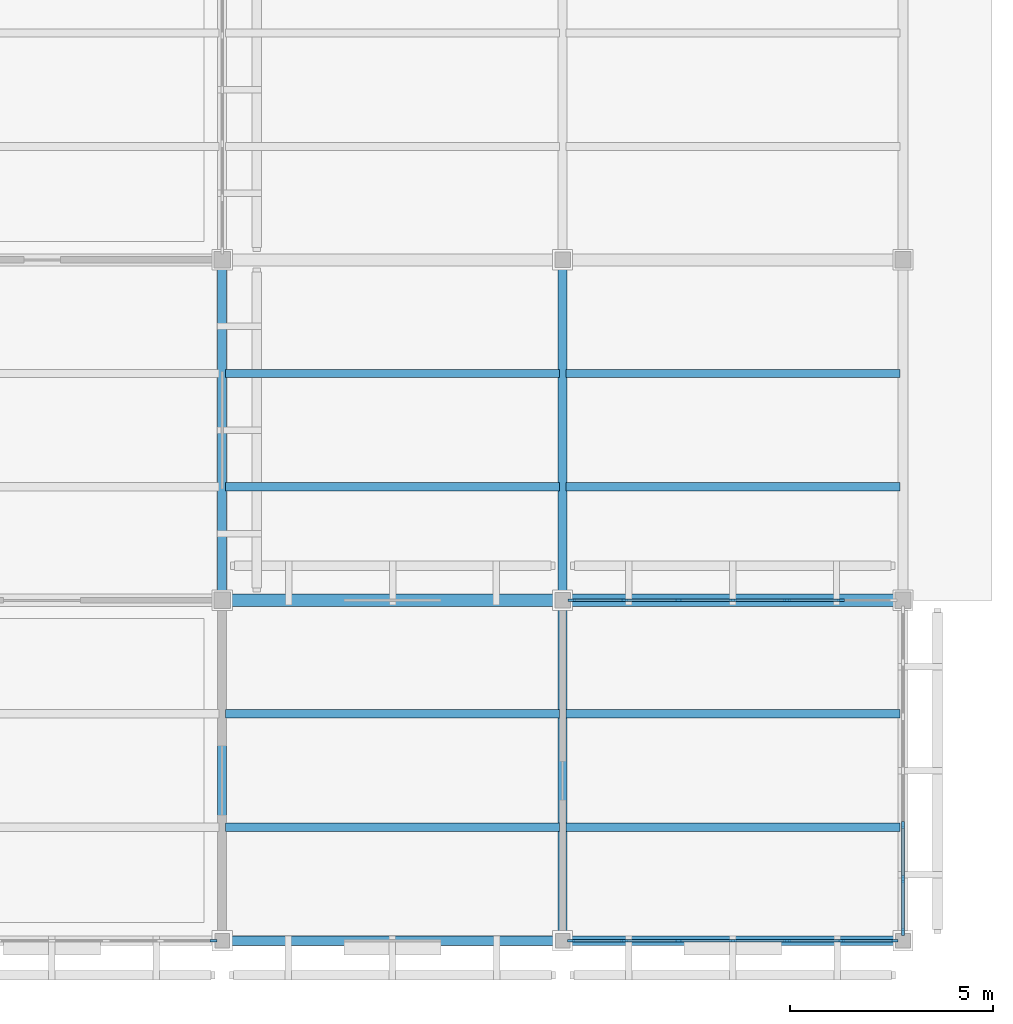
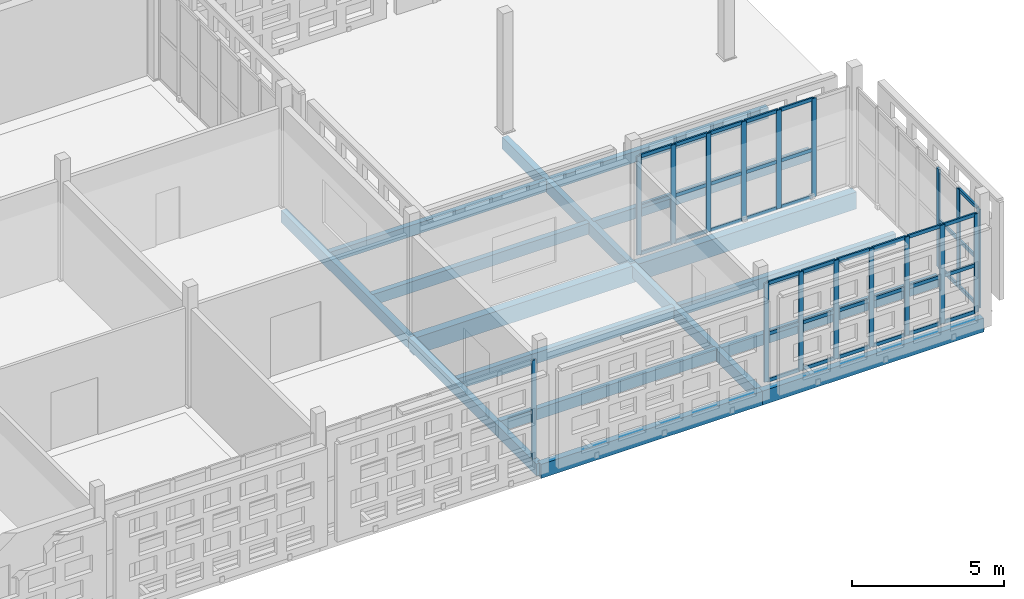
# One storey, part 68 of 203: 55 members, 16 beams, 4 elements without a shape of their own.
"""IFC4 building model written with IfcOpenShell, lengths in metres."""

from ifc_helpers import new_model, si_unit, direction, frame, origin, origin_2d, place, context, subcontext, project, spatial, rectangle, extrude, material, layer, layer_set, material_profile, profile_set, type_object, element, aggregate, save


model = new_model("IFC4")

# Units and contexts
model_context = context("Model", 3, precision=1e-05, world=origin(), true_north=direction((0.0, 1.0)))
body_context = subcontext(model_context, "Body", "Model", "MODEL_VIEW")
ifc_project = project(units=[si_unit("LENGTHUNIT", "METRE"), si_unit("AREAUNIT", "SQUARE_METRE"), si_unit("VOLUMEUNIT", "CUBIC_METRE"), si_unit("PLANEANGLEUNIT", "RADIAN"), si_unit("MASSUNIT", "GRAM", prefix="KILO")], contexts=[model_context])

# Site, building, storey
site_placement = place(None, origin())
site = spatial("IfcSite", under=ifc_project, at=site_placement, CompositionType="ELEMENT")
building_placement = place(site_placement, origin())
building = spatial("IfcBuilding", under=site, at=building_placement, Name="Varnapada Polytechnic", CompositionType="ELEMENT")
storey_placement = place(building_placement, frame((0.0, 0.0, 4.800048828125)))
storey = spatial("IfcBuildingStorey", under=building, at=storey_placement, Name="L01", CompositionType="ELEMENT", Elevation=4.800048828125)

# Beams
ifc_material_1 = material(Name="Glulam GL32h", Category="wood")
ifc_material_profile_1 = material_profile(ifc_material_1, rectangle(XDim=0.199951171875, YDim=0.43994140625, at=origin_2d()), Name="GL 200x440")
ifc_profile_set_1 = profile_set([ifc_material_profile_1], Name="Glulam GL32h")
beam_type_1 = type_object("IfcBeamType", Name="Heavy laboratory glulam joist GJ-03 (GL 200x440)", PredefinedType="JOIST", material=ifc_profile_set_1)
for number, where, z_axis, x_axis, name in (
    (1, (159.679931640625, 2.800048828125, -0.469970703125), (1.0, 0.0, 0.0), (0.0, 1.0, 0.0), "L01 floor joist 20/1.1"),
    (2, (159.679931640625, 5.60009765625, -0.469970703125), (1.0, 0.0, 0.0), (0.0, 1.0, 0.0), "L01 floor joist 20/1.2"),
    (3, (159.679931640625, 11.199951171875, -0.489990234375), (1.0, 0.0, 0.0), (0.0, 1.0, 0.0), "L01 floor joist 20/2.1"),
    (4, (159.679931640625, 14.0, -0.489990234375), (1.0, 0.0, 0.0), (0.0, 1.0, 0.0), "L01 floor joist 20/2.2"),
    (5, (168.080078125, 2.800048828125, -0.469970703125), (1.0, 0.0, 0.0), (0.0, 1.0, 0.0), "L01 floor joist 21/1.1"),
    (6, (168.080078125, 5.60009765625, -0.469970703125), (1.0, 0.0, 0.0), (0.0, 1.0, 0.0), "L01 floor joist 21/1.2"),
    (7, (168.080078125, 11.199951171875, -0.489990234375), (1.0, 0.0, 0.0), (0.0, 1.0, 0.0), "L01 floor joist 21/2.1"),
    (8, (168.080078125, 14.0, -0.489990234375), (1.0, 0.0, 0.0), (0.0, 1.0, 0.0), "L01 floor joist 21/2.2"),
):
    element("IfcBeam", number, at=place(storey_placement, frame(where, z_axis=z_axis, x_axis=x_axis)), inside=storey, type_object=beam_type_1, Name=name, PredefinedType="JOIST", context=body_context, shape_type="SweptSolid", body=[
        extrude(rectangle(XDim=0.199951171875, YDim=0.43994140625, at=origin_2d()), origin(), (0.0, 0.0, 1.0), 8.239990234375),
    ])

# Curtain wall, member
ifc_material_2 = material(Name="Double low-E laminated glass", Category="glass")
ifc_layer = layer(ifc_material_2, 0.179931640625)
ifc_layer_set = layer_set([ifc_layer], Name="Double low-E laminated glass")
curtain_wall_type = type_object("IfcCurtainWallType", Name="Curtain Wall CW-04", PredefinedType="NOTDEFINED", material=ifc_layer_set)
curtain_wall_1_placement = place(storey_placement, origin())
curtain_wall_1 = element("IfcCurtainWall", 9, at=curtain_wall_1_placement, inside=storey, type_object=curtain_wall_type, Name="L01 unitised curtain wall CW-04 (109)", PredefinedType="NOTDEFINED")
ifc_material_3 = material(Name="Anodised aluminium", Category="aluminium")
ifc_material_profile_2 = material_profile(ifc_material_3, rectangle(XDim=0.06494140625, YDim=0.179931640625, at=origin_2d()), Name="ALU M65x180")
ifc_profile_set_2 = profile_set([ifc_material_profile_2], Name="Anodised aluminium")
member_type_1 = type_object("IfcMemberType", Name="Mullion M-02", PredefinedType="MULLION", material=ifc_profile_set_2)
member_1_placement = place(storey_placement, frame((159.387451171875, 0.0, 0.0), z_axis=(0.0, 0.0, 1.0), x_axis=(0.0, -1.0, 0.0)))
member_1 = element("IfcMember", 10, at=member_1_placement, type_object=member_type_1, Name="CW-04 mullion 1", PredefinedType="MULLION", context=body_context, shape_type="SweptSolid", body=[
    extrude(rectangle(XDim=0.06494140625, YDim=0.179931640625, at=origin_2d()), origin(), (0.0, 0.0, 1.0), 3.9599609375),
])
aggregate(curtain_wall_1, [member_1])

# Curtain wall, members
curtain_wall_2_placement = place(storey_placement, origin())
curtain_wall_2 = element("IfcCurtainWall", 11, at=curtain_wall_2_placement, inside=storey, type_object=curtain_wall_type, Name="L01 unitised curtain wall CW-04 (115)", PredefinedType="NOTDEFINED")
member_2_placement = place(storey_placement, frame((176.1875, 0.0, 0.0), z_axis=(0.0, 0.0, 1.0), x_axis=(0.0, -1.0, 0.0)))
member_2 = element("IfcMember", 12, at=member_2_placement, type_object=member_type_1, Name="CW-04 mullion 1", PredefinedType="MULLION", context=body_context, shape_type="SweptSolid", body=[
    extrude(rectangle(XDim=0.06494140625, YDim=0.179931640625, at=origin_2d()), origin(), (0.0, 0.0, 1.0), 3.9599609375),
])
member_3_placement = place(storey_placement, frame((174.8798828125, 0.0, 0.0), z_axis=(0.0, 0.0, 1.0), x_axis=(0.0, -1.0, 0.0)))
member_3 = element("IfcMember", 13, at=member_3_placement, type_object=member_type_1, Name="CW-04 mullion 2", PredefinedType="MULLION", context=body_context, shape_type="SweptSolid", body=[
    extrude(rectangle(XDim=0.06494140625, YDim=0.179931640625, at=origin_2d()), origin(), (0.0, 0.0, 1.0), 3.9599609375),
])
member_4_placement = place(storey_placement, frame((173.5400390625, 0.0, 0.0), z_axis=(0.0, 0.0, 1.0), x_axis=(0.0, -1.0, 0.0)))
member_4 = element("IfcMember", 14, at=member_4_placement, type_object=member_type_1, Name="CW-04 mullion 3", PredefinedType="MULLION", context=body_context, shape_type="SweptSolid", body=[
    extrude(rectangle(XDim=0.06494140625, YDim=0.179931640625, at=origin_2d()), origin(), (0.0, 0.0, 1.0), 3.9599609375),
])
member_5_placement = place(storey_placement, frame((172.199951171875, 0.0, 0.0), z_axis=(0.0, 0.0, 1.0), x_axis=(0.0, -1.0, 0.0)))
member_5 = element("IfcMember", 15, at=member_5_placement, type_object=member_type_1, Name="CW-04 mullion 4", PredefinedType="MULLION", context=body_context, shape_type="SweptSolid", body=[
    extrude(rectangle(XDim=0.06494140625, YDim=0.179931640625, at=origin_2d()), origin(), (0.0, 0.0, 1.0), 3.9599609375),
])
member_6_placement = place(storey_placement, frame((170.860107421875, 0.0, 0.0), z_axis=(0.0, 0.0, 1.0), x_axis=(0.0, -1.0, 0.0)))
member_6 = element("IfcMember", 16, at=member_6_placement, type_object=member_type_1, Name="CW-04 mullion 5", PredefinedType="MULLION", context=body_context, shape_type="SweptSolid", body=[
    extrude(rectangle(XDim=0.06494140625, YDim=0.179931640625, at=origin_2d()), origin(), (0.0, 0.0, 1.0), 3.9599609375),
])
member_7_placement = place(storey_placement, frame((169.52001953125, 0.0, 0.0), z_axis=(0.0, 0.0, 1.0), x_axis=(0.0, -1.0, 0.0)))
member_7 = element("IfcMember", 17, at=member_7_placement, type_object=member_type_1, Name="CW-04 mullion 6", PredefinedType="MULLION", context=body_context, shape_type="SweptSolid", body=[
    extrude(rectangle(XDim=0.06494140625, YDim=0.179931640625, at=origin_2d()), origin(), (0.0, 0.0, 1.0), 3.9599609375),
])
member_8_placement = place(storey_placement, frame((168.21240234375, 0.0, 0.0), z_axis=(0.0, 0.0, 1.0), x_axis=(0.0, -1.0, 0.0)))
member_8 = element("IfcMember", 18, at=member_8_placement, type_object=member_type_1, Name="CW-04 mullion 7", PredefinedType="MULLION", context=body_context, shape_type="SweptSolid", body=[
    extrude(rectangle(XDim=0.06494140625, YDim=0.179931640625, at=origin_2d()), origin(), (0.0, 0.0, 1.0), 3.9599609375),
])

curtain_wall_3_placement = place(storey_placement, origin())
curtain_wall_3 = element("IfcCurtainWall", 19, at=curtain_wall_3_placement, inside=storey, type_object=curtain_wall_type, Name="L01 unitised curtain wall CW-04 (116)", PredefinedType="NOTDEFINED")
member_9_placement = place(storey_placement, frame((168.222412109375, 8.39990234375, 0.0), z_axis=(0.0, 0.0, 1.0), x_axis=(0.0, 1.0, 0.0)))
member_9 = element("IfcMember", 20, at=member_9_placement, type_object=member_type_1, Name="CW-04 mullion 1", PredefinedType="MULLION", context=body_context, shape_type="SweptSolid", body=[
    extrude(rectangle(XDim=0.06494140625, YDim=0.179931640625, at=origin_2d()), origin(), (0.0, 0.0, 1.0), 3.9599609375),
])
member_10_placement = place(storey_placement, frame((169.52490234375, 8.39990234375, 0.0), z_axis=(0.0, 0.0, 1.0), x_axis=(0.0, 1.0, 0.0)))
member_10 = element("IfcMember", 21, at=member_10_placement, type_object=member_type_1, Name="CW-04 mullion 2", PredefinedType="MULLION", context=body_context, shape_type="SweptSolid", body=[
    extrude(rectangle(XDim=0.06494140625, YDim=0.179931640625, at=origin_2d()), origin(), (0.0, 0.0, 1.0), 3.9599609375),
])
member_11_placement = place(storey_placement, frame((170.860107421875, 8.39990234375, 0.0), z_axis=(0.0, 0.0, 1.0), x_axis=(0.0, 1.0, 0.0)))
member_11 = element("IfcMember", 22, at=member_11_placement, type_object=member_type_1, Name="CW-04 mullion 3", PredefinedType="MULLION", context=body_context, shape_type="SweptSolid", body=[
    extrude(rectangle(XDim=0.06494140625, YDim=0.179931640625, at=origin_2d()), origin(), (0.0, 0.0, 1.0), 3.9599609375),
])
member_12_placement = place(storey_placement, frame((172.195068359375, 8.39990234375, 0.0), z_axis=(0.0, 0.0, 1.0), x_axis=(0.0, 1.0, 0.0)))
member_12 = element("IfcMember", 23, at=member_12_placement, type_object=member_type_1, Name="CW-04 mullion 4", PredefinedType="MULLION", context=body_context, shape_type="SweptSolid", body=[
    extrude(rectangle(XDim=0.06494140625, YDim=0.179931640625, at=origin_2d()), origin(), (0.0, 0.0, 1.0), 3.9599609375),
])
member_13_placement = place(storey_placement, frame((173.530029296875, 8.39990234375, 0.0), z_axis=(0.0, 0.0, 1.0), x_axis=(0.0, 1.0, 0.0)))
member_13 = element("IfcMember", 24, at=member_13_placement, type_object=member_type_1, Name="CW-04 mullion 5", PredefinedType="MULLION", context=body_context, shape_type="SweptSolid", body=[
    extrude(rectangle(XDim=0.06494140625, YDim=0.179931640625, at=origin_2d()), origin(), (0.0, 0.0, 1.0), 3.9599609375),
])
member_14_placement = place(storey_placement, frame((174.864990234375, 8.39990234375, 0.0), z_axis=(0.0, 0.0, 1.0), x_axis=(0.0, 1.0, 0.0)))
member_14 = element("IfcMember", 25, at=member_14_placement, type_object=member_type_1, Name="CW-04 mullion 6", PredefinedType="MULLION", context=body_context, shape_type="SweptSolid", body=[
    extrude(rectangle(XDim=0.06494140625, YDim=0.179931640625, at=origin_2d()), origin(), (0.0, 0.0, 1.0), 3.9599609375),
])

curtain_wall_4_placement = place(storey_placement, origin())
curtain_wall_4 = element("IfcCurtainWall", 26, at=curtain_wall_4_placement, inside=storey, type_object=curtain_wall_type, Name="L01 unitised curtain wall CW-04 (117)", PredefinedType="NOTDEFINED")
member_15_placement = place(storey_placement, frame((176.39990234375, 2.853271484375, 0.0), z_axis=(0.0, 0.0, 1.0), x_axis=(1.0, 0.0, 0.0)))
member_15 = element("IfcMember", 27, at=member_15_placement, type_object=member_type_1, Name="CW-04 mullion 5", PredefinedType="MULLION", context=body_context, shape_type="SweptSolid", body=[
    extrude(rectangle(XDim=0.06494140625, YDim=0.179931640625, at=origin_2d()), origin(), (0.0, 0.0, 1.0), 3.9599609375),
])
member_16_placement = place(storey_placement, frame((176.39990234375, 1.5166015625, 0.0), z_axis=(0.0, 0.0, 1.0), x_axis=(1.0, 0.0, 0.0)))
member_16 = element("IfcMember", 28, at=member_16_placement, type_object=member_type_1, Name="CW-04 mullion 6", PredefinedType="MULLION", context=body_context, shape_type="SweptSolid", body=[
    extrude(rectangle(XDim=0.06494140625, YDim=0.179931640625, at=origin_2d()), origin(), (0.0, 0.0, 1.0), 3.9599609375),
])
member_17_placement = place(storey_placement, frame((176.39990234375, 0.21240234375, 0.0), z_axis=(0.0, 0.0, 1.0), x_axis=(1.0, 0.0, 0.0)))
member_17 = element("IfcMember", 29, at=member_17_placement, type_object=member_type_1, Name="CW-04 mullion 7", PredefinedType="MULLION", context=body_context, shape_type="SweptSolid", body=[
    extrude(rectangle(XDim=0.06494140625, YDim=0.179931640625, at=origin_2d()), origin(), (0.0, 0.0, 1.0), 3.9599609375),
])

# Beams
ifc_material_profile_3 = material_profile(ifc_material_1, rectangle(XDim=0.239990234375, YDim=0.56005859375, at=origin_2d()), Name="GL 240x560")
ifc_profile_set_3 = profile_set([ifc_material_profile_3], Name="Glulam GL32h")
beam_type_2 = type_object("IfcBeamType", Name="Perimeter glulam spandrel beam SP-02 (GL 240x560)", PredefinedType="SPANDREL", material=ifc_profile_set_3)
for number, where, z_axis, x_axis, name in (
    (30, (159.60009765625, 0.0, -0.530029296875), (1.0, 0.0, 0.0), (0.0, 1.0, 0.0), "L01 beam X 20-21 at Y1"),
    (31, (168.0, 0.0, -0.530029296875), (1.0, 0.0, 0.0), (0.0, 1.0, 0.0), "L01 beam X 21-22 at Y1"),
):
    element("IfcBeam", number, at=place(storey_placement, frame(where, z_axis=z_axis, x_axis=x_axis)), inside=storey, type_object=beam_type_2, Name=name, PredefinedType="SPANDREL", context=body_context, shape_type="SweptSolid", body=[
        extrude(rectangle(XDim=0.239990234375, YDim=0.56005859375, at=origin_2d()), origin(), (0.0, 0.0, 1.0), 8.39990234375),
    ])

# Member
ifc_material_profile_4 = material_profile(ifc_material_3, rectangle(XDim=0.06494140625, YDim=0.139892578125, at=origin_2d()), Name="ALU T65x140")
ifc_profile_set_4 = profile_set([ifc_material_profile_4], Name="Anodised aluminium")
member_type_2 = type_object("IfcMemberType", Name="Transom T-02", PredefinedType="USERDEFINED", material=ifc_profile_set_4)
member_18_placement = place(storey_placement, frame((176.155029296875, 0.0, 0.032470703125), z_axis=(-1.0, 0.0, 0.0), x_axis=(0.0, -1.0, 0.0)))
member_18 = element("IfcMember", 32, at=member_18_placement, type_object=member_type_2, Name="CW-04 transom 1.1", ObjectType="TRANSOM", PredefinedType="USERDEFINED", context=body_context, shape_type="SweptSolid", body=[
    extrude(rectangle(XDim=0.06494140625, YDim=0.139892578125, at=origin_2d()), origin(), (0.0, 0.0, 1.0), 1.242431640625),
])

member_19_placement = place(storey_placement, frame((176.155029296875, 0.0, 1.900634765625), z_axis=(-1.0, 0.0, 0.0), x_axis=(0.0, -1.0, 0.0)))
member_19 = element("IfcMember", 33, at=member_19_placement, type_object=member_type_2, Name="CW-04 transom 1.2", ObjectType="TRANSOM", PredefinedType="USERDEFINED", context=body_context, shape_type="SweptSolid", body=[
    extrude(rectangle(XDim=0.06494140625, YDim=0.139892578125, at=origin_2d()), origin(), (0.0, 0.0, 1.0), 1.242431640625),
])

member_20_placement = place(storey_placement, frame((176.155029296875, 0.0, 3.927490234375), z_axis=(-1.0, 0.0, 0.0), x_axis=(0.0, -1.0, 0.0)))
member_20 = element("IfcMember", 34, at=member_20_placement, type_object=member_type_2, Name="CW-04 transom 1.3", ObjectType="TRANSOM", PredefinedType="USERDEFINED", context=body_context, shape_type="SweptSolid", body=[
    extrude(rectangle(XDim=0.06494140625, YDim=0.139892578125, at=origin_2d()), origin(), (0.0, 0.0, 1.0), 1.242431640625),
])

member_21_placement = place(storey_placement, frame((174.847412109375, 0.0, 0.032470703125), z_axis=(-1.0, 0.0, 0.0), x_axis=(0.0, -1.0, 0.0)))
member_21 = element("IfcMember", 35, at=member_21_placement, type_object=member_type_2, Name="CW-04 transom 2.1", ObjectType="TRANSOM", PredefinedType="USERDEFINED", context=body_context, shape_type="SweptSolid", body=[
    extrude(rectangle(XDim=0.06494140625, YDim=0.139892578125, at=origin_2d()), origin(), (0.0, 0.0, 1.0), 1.27490234375),
])

member_22_placement = place(storey_placement, frame((174.847412109375, 0.0, 1.900634765625), z_axis=(-1.0, 0.0, 0.0), x_axis=(0.0, -1.0, 0.0)))
member_22 = element("IfcMember", 36, at=member_22_placement, type_object=member_type_2, Name="CW-04 transom 2.2", ObjectType="TRANSOM", PredefinedType="USERDEFINED", context=body_context, shape_type="SweptSolid", body=[
    extrude(rectangle(XDim=0.06494140625, YDim=0.139892578125, at=origin_2d()), origin(), (0.0, 0.0, 1.0), 1.27490234375),
])

member_23_placement = place(storey_placement, frame((174.847412109375, 0.0, 3.927490234375), z_axis=(-1.0, 0.0, 0.0), x_axis=(0.0, -1.0, 0.0)))
member_23 = element("IfcMember", 37, at=member_23_placement, type_object=member_type_2, Name="CW-04 transom 2.3", ObjectType="TRANSOM", PredefinedType="USERDEFINED", context=body_context, shape_type="SweptSolid", body=[
    extrude(rectangle(XDim=0.06494140625, YDim=0.139892578125, at=origin_2d()), origin(), (0.0, 0.0, 1.0), 1.27490234375),
])

member_24_placement = place(storey_placement, frame((173.507568359375, 0.0, 0.032470703125), z_axis=(-1.0, 0.0, 0.0), x_axis=(0.0, -1.0, 0.0)))
member_24 = element("IfcMember", 38, at=member_24_placement, type_object=member_type_2, Name="CW-04 transom 3.1", ObjectType="TRANSOM", PredefinedType="USERDEFINED", context=body_context, shape_type="SweptSolid", body=[
    extrude(rectangle(XDim=0.06494140625, YDim=0.139892578125, at=origin_2d()), origin(), (0.0, 0.0, 1.0), 1.275146484375),
])

member_25_placement = place(storey_placement, frame((173.507568359375, 0.0, 1.900634765625), z_axis=(-1.0, 0.0, 0.0), x_axis=(0.0, -1.0, 0.0)))
member_25 = element("IfcMember", 39, at=member_25_placement, type_object=member_type_2, Name="CW-04 transom 3.2", ObjectType="TRANSOM", PredefinedType="USERDEFINED", context=body_context, shape_type="SweptSolid", body=[
    extrude(rectangle(XDim=0.06494140625, YDim=0.139892578125, at=origin_2d()), origin(), (0.0, 0.0, 1.0), 1.275146484375),
])

member_26_placement = place(storey_placement, frame((173.507568359375, 0.0, 3.927490234375), z_axis=(-1.0, 0.0, 0.0), x_axis=(0.0, -1.0, 0.0)))
member_26 = element("IfcMember", 40, at=member_26_placement, type_object=member_type_2, Name="CW-04 transom 3.3", ObjectType="TRANSOM", PredefinedType="USERDEFINED", context=body_context, shape_type="SweptSolid", body=[
    extrude(rectangle(XDim=0.06494140625, YDim=0.139892578125, at=origin_2d()), origin(), (0.0, 0.0, 1.0), 1.275146484375),
])

member_27_placement = place(storey_placement, frame((172.16748046875, 0.0, 0.032470703125), z_axis=(-1.0, 0.0, 0.0), x_axis=(0.0, -1.0, 0.0)))
member_27 = element("IfcMember", 41, at=member_27_placement, type_object=member_type_2, Name="CW-04 transom 4.1", ObjectType="TRANSOM", PredefinedType="USERDEFINED", context=body_context, shape_type="SweptSolid", body=[
    extrude(rectangle(XDim=0.06494140625, YDim=0.139892578125, at=origin_2d()), origin(), (0.0, 0.0, 1.0), 1.27490234375),
])

member_28_placement = place(storey_placement, frame((172.16748046875, 0.0, 1.900634765625), z_axis=(-1.0, 0.0, 0.0), x_axis=(0.0, -1.0, 0.0)))
member_28 = element("IfcMember", 42, at=member_28_placement, type_object=member_type_2, Name="CW-04 transom 4.2", ObjectType="TRANSOM", PredefinedType="USERDEFINED", context=body_context, shape_type="SweptSolid", body=[
    extrude(rectangle(XDim=0.06494140625, YDim=0.139892578125, at=origin_2d()), origin(), (0.0, 0.0, 1.0), 1.27490234375),
])

member_29_placement = place(storey_placement, frame((172.16748046875, 0.0, 3.927490234375), z_axis=(-1.0, 0.0, 0.0), x_axis=(0.0, -1.0, 0.0)))
member_29 = element("IfcMember", 43, at=member_29_placement, type_object=member_type_2, Name="CW-04 transom 4.3", ObjectType="TRANSOM", PredefinedType="USERDEFINED", context=body_context, shape_type="SweptSolid", body=[
    extrude(rectangle(XDim=0.06494140625, YDim=0.139892578125, at=origin_2d()), origin(), (0.0, 0.0, 1.0), 1.27490234375),
])

member_30_placement = place(storey_placement, frame((170.827392578125, 0.0, 0.032470703125), z_axis=(-1.0, 0.0, 0.0), x_axis=(0.0, -1.0, 0.0)))
member_30 = element("IfcMember", 44, at=member_30_placement, type_object=member_type_2, Name="CW-04 transom 5.1", ObjectType="TRANSOM", PredefinedType="USERDEFINED", context=body_context, shape_type="SweptSolid", body=[
    extrude(rectangle(XDim=0.06494140625, YDim=0.139892578125, at=origin_2d()), origin(), (0.0, 0.0, 1.0), 1.27490234375),
])

member_31_placement = place(storey_placement, frame((170.827392578125, 0.0, 1.900634765625), z_axis=(-1.0, 0.0, 0.0), x_axis=(0.0, -1.0, 0.0)))
member_31 = element("IfcMember", 45, at=member_31_placement, type_object=member_type_2, Name="CW-04 transom 5.2", ObjectType="TRANSOM", PredefinedType="USERDEFINED", context=body_context, shape_type="SweptSolid", body=[
    extrude(rectangle(XDim=0.06494140625, YDim=0.139892578125, at=origin_2d()), origin(), (0.0, 0.0, 1.0), 1.27490234375),
])

member_32_placement = place(storey_placement, frame((170.827392578125, 0.0, 3.927490234375), z_axis=(-1.0, 0.0, 0.0), x_axis=(0.0, -1.0, 0.0)))
member_32 = element("IfcMember", 46, at=member_32_placement, type_object=member_type_2, Name="CW-04 transom 5.3", ObjectType="TRANSOM", PredefinedType="USERDEFINED", context=body_context, shape_type="SweptSolid", body=[
    extrude(rectangle(XDim=0.06494140625, YDim=0.139892578125, at=origin_2d()), origin(), (0.0, 0.0, 1.0), 1.27490234375),
])

member_33_placement = place(storey_placement, frame((169.487548828125, 0.0, 0.032470703125), z_axis=(-1.0, 0.0, 0.0), x_axis=(0.0, -1.0, 0.0)))
member_33 = element("IfcMember", 47, at=member_33_placement, type_object=member_type_2, Name="CW-04 transom 6.1", ObjectType="TRANSOM", PredefinedType="USERDEFINED", context=body_context, shape_type="SweptSolid", body=[
    extrude(rectangle(XDim=0.06494140625, YDim=0.139892578125, at=origin_2d()), origin(), (0.0, 0.0, 1.0), 1.242431640625),
])

member_34_placement = place(storey_placement, frame((169.487548828125, 0.0, 1.900634765625), z_axis=(-1.0, 0.0, 0.0), x_axis=(0.0, -1.0, 0.0)))
member_34 = element("IfcMember", 48, at=member_34_placement, type_object=member_type_2, Name="CW-04 transom 6.2", ObjectType="TRANSOM", PredefinedType="USERDEFINED", context=body_context, shape_type="SweptSolid", body=[
    extrude(rectangle(XDim=0.06494140625, YDim=0.139892578125, at=origin_2d()), origin(), (0.0, 0.0, 1.0), 1.242431640625),
])

member_35_placement = place(storey_placement, frame((169.487548828125, 0.0, 3.927490234375), z_axis=(-1.0, 0.0, 0.0), x_axis=(0.0, -1.0, 0.0)))
member_35 = element("IfcMember", 49, at=member_35_placement, type_object=member_type_2, Name="CW-04 transom 6.3", ObjectType="TRANSOM", PredefinedType="USERDEFINED", context=body_context, shape_type="SweptSolid", body=[
    extrude(rectangle(XDim=0.06494140625, YDim=0.139892578125, at=origin_2d()), origin(), (0.0, 0.0, 1.0), 1.242431640625),
])

aggregate(curtain_wall_2, [member_2, member_3, member_4, member_5, member_6, member_7, member_8, member_18, member_19, member_20, member_21, member_22, member_23, member_24, member_25, member_26, member_27, member_28, member_29, member_30, member_31, member_32, member_33, member_34, member_35])

member_36_placement = place(storey_placement, frame((168.2548828125, 8.39990234375, 0.032470703125), z_axis=(1.0, 0.0, 0.0), x_axis=(0.0, 1.0, 0.0)))
member_36 = element("IfcMember", 50, at=member_36_placement, type_object=member_type_2, Name="CW-04 transom 1.1", ObjectType="TRANSOM", PredefinedType="USERDEFINED", context=body_context, shape_type="SweptSolid", body=[
    extrude(rectangle(XDim=0.06494140625, YDim=0.139892578125, at=origin_2d()), origin(), (0.0, 0.0, 1.0), 1.237548828125),
])

member_37_placement = place(storey_placement, frame((168.2548828125, 8.39990234375, 1.900634765625), z_axis=(1.0, 0.0, 0.0), x_axis=(0.0, 1.0, 0.0)))
member_37 = element("IfcMember", 51, at=member_37_placement, type_object=member_type_2, Name="CW-04 transom 1.2", ObjectType="TRANSOM", PredefinedType="USERDEFINED", context=body_context, shape_type="SweptSolid", body=[
    extrude(rectangle(XDim=0.06494140625, YDim=0.139892578125, at=origin_2d()), origin(), (0.0, 0.0, 1.0), 1.237548828125),
])

member_38_placement = place(storey_placement, frame((168.2548828125, 8.39990234375, 3.927490234375), z_axis=(1.0, 0.0, 0.0), x_axis=(0.0, 1.0, 0.0)))
member_38 = element("IfcMember", 52, at=member_38_placement, type_object=member_type_2, Name="CW-04 transom 1.3", ObjectType="TRANSOM", PredefinedType="USERDEFINED", context=body_context, shape_type="SweptSolid", body=[
    extrude(rectangle(XDim=0.06494140625, YDim=0.139892578125, at=origin_2d()), origin(), (0.0, 0.0, 1.0), 1.237548828125),
])

member_39_placement = place(storey_placement, frame((169.5576171875, 8.39990234375, 0.032470703125), z_axis=(1.0, 0.0, 0.0), x_axis=(0.0, 1.0, 0.0)))
member_39 = element("IfcMember", 53, at=member_39_placement, type_object=member_type_2, Name="CW-04 transom 2.1", ObjectType="TRANSOM", PredefinedType="USERDEFINED", context=body_context, shape_type="SweptSolid", body=[
    extrude(rectangle(XDim=0.06494140625, YDim=0.139892578125, at=origin_2d()), origin(), (0.0, 0.0, 1.0), 1.269775390625),
])

member_40_placement = place(storey_placement, frame((169.5576171875, 8.39990234375, 1.900634765625), z_axis=(1.0, 0.0, 0.0), x_axis=(0.0, 1.0, 0.0)))
member_40 = element("IfcMember", 54, at=member_40_placement, type_object=member_type_2, Name="CW-04 transom 2.2", ObjectType="TRANSOM", PredefinedType="USERDEFINED", context=body_context, shape_type="SweptSolid", body=[
    extrude(rectangle(XDim=0.06494140625, YDim=0.139892578125, at=origin_2d()), origin(), (0.0, 0.0, 1.0), 1.269775390625),
])

member_41_placement = place(storey_placement, frame((169.5576171875, 8.39990234375, 3.927490234375), z_axis=(1.0, 0.0, 0.0), x_axis=(0.0, 1.0, 0.0)))
member_41 = element("IfcMember", 55, at=member_41_placement, type_object=member_type_2, Name="CW-04 transom 2.3", ObjectType="TRANSOM", PredefinedType="USERDEFINED", context=body_context, shape_type="SweptSolid", body=[
    extrude(rectangle(XDim=0.06494140625, YDim=0.139892578125, at=origin_2d()), origin(), (0.0, 0.0, 1.0), 1.269775390625),
])

member_42_placement = place(storey_placement, frame((170.892578125, 8.39990234375, 0.032470703125), z_axis=(1.0, 0.0, 0.0), x_axis=(0.0, 1.0, 0.0)))
member_42 = element("IfcMember", 56, at=member_42_placement, type_object=member_type_2, Name="CW-04 transom 3.1", ObjectType="TRANSOM", PredefinedType="USERDEFINED", context=body_context, shape_type="SweptSolid", body=[
    extrude(rectangle(XDim=0.06494140625, YDim=0.139892578125, at=origin_2d()), origin(), (0.0, 0.0, 1.0), 1.27001953125),
])

member_43_placement = place(storey_placement, frame((170.892578125, 8.39990234375, 1.900634765625), z_axis=(1.0, 0.0, 0.0), x_axis=(0.0, 1.0, 0.0)))
member_43 = element("IfcMember", 57, at=member_43_placement, type_object=member_type_2, Name="CW-04 transom 3.2", ObjectType="TRANSOM", PredefinedType="USERDEFINED", context=body_context, shape_type="SweptSolid", body=[
    extrude(rectangle(XDim=0.06494140625, YDim=0.139892578125, at=origin_2d()), origin(), (0.0, 0.0, 1.0), 1.27001953125),
])

member_44_placement = place(storey_placement, frame((170.892578125, 8.39990234375, 3.927490234375), z_axis=(1.0, 0.0, 0.0), x_axis=(0.0, 1.0, 0.0)))
member_44 = element("IfcMember", 58, at=member_44_placement, type_object=member_type_2, Name="CW-04 transom 3.3", ObjectType="TRANSOM", PredefinedType="USERDEFINED", context=body_context, shape_type="SweptSolid", body=[
    extrude(rectangle(XDim=0.06494140625, YDim=0.139892578125, at=origin_2d()), origin(), (0.0, 0.0, 1.0), 1.27001953125),
])

member_45_placement = place(storey_placement, frame((172.2275390625, 8.39990234375, 0.032470703125), z_axis=(1.0, 0.0, 0.0), x_axis=(0.0, 1.0, 0.0)))
member_45 = element("IfcMember", 59, at=member_45_placement, type_object=member_type_2, Name="CW-04 transom 4.1", ObjectType="TRANSOM", PredefinedType="USERDEFINED", context=body_context, shape_type="SweptSolid", body=[
    extrude(rectangle(XDim=0.06494140625, YDim=0.139892578125, at=origin_2d()), origin(), (0.0, 0.0, 1.0), 1.27001953125),
])

member_46_placement = place(storey_placement, frame((172.2275390625, 8.39990234375, 1.900634765625), z_axis=(1.0, 0.0, 0.0), x_axis=(0.0, 1.0, 0.0)))
member_46 = element("IfcMember", 60, at=member_46_placement, type_object=member_type_2, Name="CW-04 transom 4.2", ObjectType="TRANSOM", PredefinedType="USERDEFINED", context=body_context, shape_type="SweptSolid", body=[
    extrude(rectangle(XDim=0.06494140625, YDim=0.139892578125, at=origin_2d()), origin(), (0.0, 0.0, 1.0), 1.27001953125),
])

member_47_placement = place(storey_placement, frame((172.2275390625, 8.39990234375, 3.927490234375), z_axis=(1.0, 0.0, 0.0), x_axis=(0.0, 1.0, 0.0)))
member_47 = element("IfcMember", 61, at=member_47_placement, type_object=member_type_2, Name="CW-04 transom 4.3", ObjectType="TRANSOM", PredefinedType="USERDEFINED", context=body_context, shape_type="SweptSolid", body=[
    extrude(rectangle(XDim=0.06494140625, YDim=0.139892578125, at=origin_2d()), origin(), (0.0, 0.0, 1.0), 1.27001953125),
])

member_48_placement = place(storey_placement, frame((173.5625, 8.39990234375, 0.032470703125), z_axis=(1.0, 0.0, 0.0), x_axis=(0.0, 1.0, 0.0)))
member_48 = element("IfcMember", 62, at=member_48_placement, type_object=member_type_2, Name="CW-04 transom 5.1", ObjectType="TRANSOM", PredefinedType="USERDEFINED", context=body_context, shape_type="SweptSolid", body=[
    extrude(rectangle(XDim=0.06494140625, YDim=0.139892578125, at=origin_2d()), origin(), (0.0, 0.0, 1.0), 1.27001953125),
])

member_49_placement = place(storey_placement, frame((173.5625, 8.39990234375, 1.900634765625), z_axis=(1.0, 0.0, 0.0), x_axis=(0.0, 1.0, 0.0)))
member_49 = element("IfcMember", 63, at=member_49_placement, type_object=member_type_2, Name="CW-04 transom 5.2", ObjectType="TRANSOM", PredefinedType="USERDEFINED", context=body_context, shape_type="SweptSolid", body=[
    extrude(rectangle(XDim=0.06494140625, YDim=0.139892578125, at=origin_2d()), origin(), (0.0, 0.0, 1.0), 1.27001953125),
])

member_50_placement = place(storey_placement, frame((173.5625, 8.39990234375, 3.927490234375), z_axis=(1.0, 0.0, 0.0), x_axis=(0.0, 1.0, 0.0)))
member_50 = element("IfcMember", 64, at=member_50_placement, type_object=member_type_2, Name="CW-04 transom 5.3", ObjectType="TRANSOM", PredefinedType="USERDEFINED", context=body_context, shape_type="SweptSolid", body=[
    extrude(rectangle(XDim=0.06494140625, YDim=0.139892578125, at=origin_2d()), origin(), (0.0, 0.0, 1.0), 1.27001953125),
])

aggregate(curtain_wall_3, [member_9, member_10, member_11, member_12, member_13, member_14, member_36, member_37, member_38, member_39, member_40, member_41, member_42, member_43, member_44, member_45, member_46, member_47, member_48, member_49, member_50])

member_51_placement = place(storey_placement, frame((176.39990234375, 2.82080078125, 0.032470703125), z_axis=(0.0, -1.0, 0.0), x_axis=(1.0, 0.0, 0.0)))
member_51 = element("IfcMember", 65, at=member_51_placement, type_object=member_type_2, Name="CW-04 transom 5.1", ObjectType="TRANSOM", PredefinedType="USERDEFINED", context=body_context, shape_type="SweptSolid", body=[
    extrude(rectangle(XDim=0.06494140625, YDim=0.139892578125, at=origin_2d()), origin(), (0.0, 0.0, 1.0), 1.271728515625),
])

member_52_placement = place(storey_placement, frame((176.39990234375, 2.82080078125, 1.900634765625), z_axis=(0.0, -1.0, 0.0), x_axis=(1.0, 0.0, 0.0)))
member_52 = element("IfcMember", 66, at=member_52_placement, type_object=member_type_2, Name="CW-04 transom 5.2", ObjectType="TRANSOM", PredefinedType="USERDEFINED", context=body_context, shape_type="SweptSolid", body=[
    extrude(rectangle(XDim=0.06494140625, YDim=0.139892578125, at=origin_2d()), origin(), (0.0, 0.0, 1.0), 1.271728515625),
])

member_53_placement = place(storey_placement, frame((176.39990234375, 1.484130859375, 0.032470703125), z_axis=(0.0, -1.0, 0.0), x_axis=(1.0, 0.0, 0.0)))
member_53 = element("IfcMember", 67, at=member_53_placement, type_object=member_type_2, Name="CW-04 transom 6.1", ObjectType="TRANSOM", PredefinedType="USERDEFINED", context=body_context, shape_type="SweptSolid", body=[
    extrude(rectangle(XDim=0.06494140625, YDim=0.139892578125, at=origin_2d()), origin(), (0.0, 0.0, 1.0), 1.239013671875),
])

member_54_placement = place(storey_placement, frame((176.39990234375, 1.484130859375, 1.900634765625), z_axis=(0.0, -1.0, 0.0), x_axis=(1.0, 0.0, 0.0)))
member_54 = element("IfcMember", 68, at=member_54_placement, type_object=member_type_2, Name="CW-04 transom 6.2", ObjectType="TRANSOM", PredefinedType="USERDEFINED", context=body_context, shape_type="SweptSolid", body=[
    extrude(rectangle(XDim=0.06494140625, YDim=0.139892578125, at=origin_2d()), origin(), (0.0, 0.0, 1.0), 1.239013671875),
])

member_55_placement = place(storey_placement, frame((176.39990234375, 1.484130859375, 3.927490234375), z_axis=(0.0, -1.0, 0.0), x_axis=(1.0, 0.0, 0.0)))
member_55 = element("IfcMember", 69, at=member_55_placement, type_object=member_type_2, Name="CW-04 transom 6.3", ObjectType="TRANSOM", PredefinedType="USERDEFINED", context=body_context, shape_type="SweptSolid", body=[
    extrude(rectangle(XDim=0.06494140625, YDim=0.139892578125, at=origin_2d()), origin(), (0.0, 0.0, 1.0), 1.239013671875),
])

aggregate(curtain_wall_4, [member_15, member_16, member_17, member_51, member_52, member_53, member_54, member_55])

# Beams
ifc_material_profile_5 = material_profile(ifc_material_1, rectangle(XDim=0.219970703125, YDim=0.47998046875, at=origin_2d()), Name="GL 220x480")
ifc_profile_set_5 = profile_set([ifc_material_profile_5], Name="Glulam GL32h")
beam_type_3 = type_object("IfcBeamType", Name="Upper floor glulam tie beam GB-11 (GL 220x480)", PredefinedType="BEAM", material=ifc_profile_set_5)
beam_1_placement = place(storey_placement, frame((159.60009765625, 0.0, -0.510009765625), z_axis=(0.0, 1.0, 0.0), x_axis=(-1.0, 0.0, 0.0)))
element("IfcBeam", 70, at=beam_1_placement, inside=storey, type_object=beam_type_3, Name="L01 beam Y 1-2 at X20", PredefinedType="BEAM", context=body_context, shape_type="SweptSolid", body=[
    extrude(rectangle(XDim=0.219970703125, YDim=0.47998046875, at=origin_2d()), origin(), (0.0, 0.0, 1.0), 8.39990234375),
])
beam_2_placement = place(storey_placement, frame((159.60009765625, 8.39990234375, -0.510009765625), z_axis=(0.0, 1.0, 0.0), x_axis=(-1.0, 0.0, 0.0)))
element("IfcBeam", 71, at=beam_2_placement, inside=storey, type_object=beam_type_3, Name="L01 beam Y 2-3 at X20", PredefinedType="BEAM", context=body_context, shape_type="SweptSolid", body=[
    extrude(rectangle(XDim=0.219970703125, YDim=0.47998046875, at=origin_2d()), origin(), (0.0, 0.0, 1.0), 8.400146484375),
])
beam_3_placement = place(storey_placement, frame((168.0, 0.0, -0.510009765625), z_axis=(0.0, 1.0, 0.0), x_axis=(-1.0, 0.0, 0.0)))
element("IfcBeam", 72, at=beam_3_placement, inside=storey, type_object=beam_type_3, Name="L01 beam Y 1-2 at X21", PredefinedType="BEAM", context=body_context, shape_type="SweptSolid", body=[
    extrude(rectangle(XDim=0.219970703125, YDim=0.47998046875, at=origin_2d()), origin(), (0.0, 0.0, 1.0), 8.39990234375),
])
beam_4_placement = place(storey_placement, frame((168.0, 8.39990234375, -0.510009765625), z_axis=(0.0, 1.0, 0.0), x_axis=(-1.0, 0.0, 0.0)))
element("IfcBeam", 73, at=beam_4_placement, inside=storey, type_object=beam_type_3, Name="L01 beam Y 2-3 at X21", PredefinedType="BEAM", context=body_context, shape_type="SweptSolid", body=[
    extrude(rectangle(XDim=0.219970703125, YDim=0.47998046875, at=origin_2d()), origin(), (0.0, 0.0, 1.0), 8.400146484375),
])
ifc_material_profile_6 = material_profile(ifc_material_1, rectangle(XDim=0.300048828125, YDim=0.679931640625, at=origin_2d()), Name="GL 300x680")
ifc_profile_set_6 = profile_set([ifc_material_profile_6], Name="Glulam GL32h")
beam_type_4 = type_object("IfcBeamType", Name="Wet laboratory glulam girder GG-04 (GL 300x680)", PredefinedType="BEAM", material=ifc_profile_set_6)
for number, where, z_axis, x_axis, name in (
    (74, (159.60009765625, 8.39990234375, -0.610107421875), (1.0, 0.0, 0.0), (0.0, 1.0, 0.0), "L01 beam X 20-21 at Y2"),
    (75, (168.0, 8.39990234375, -0.610107421875), (1.0, 0.0, 0.0), (0.0, 1.0, 0.0), "L01 beam X 21-22 at Y2"),
):
    element("IfcBeam", number, at=place(storey_placement, frame(where, z_axis=z_axis, x_axis=x_axis)), inside=storey, type_object=beam_type_4, Name=name, PredefinedType="BEAM", context=body_context, shape_type="SweptSolid", body=[
        extrude(rectangle(XDim=0.300048828125, YDim=0.679931640625, at=origin_2d()), origin(), (0.0, 0.0, 1.0), 8.39990234375),
    ])

save(model, "model.ifc")
